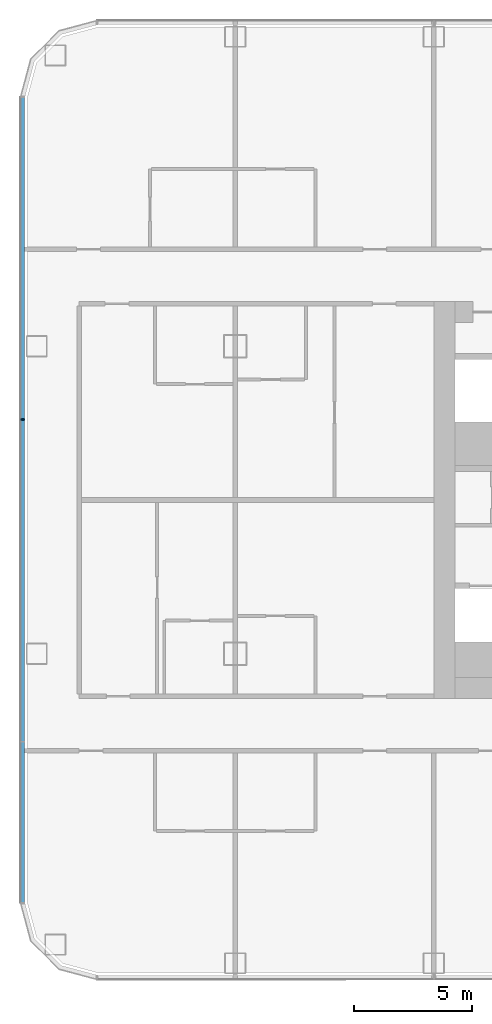
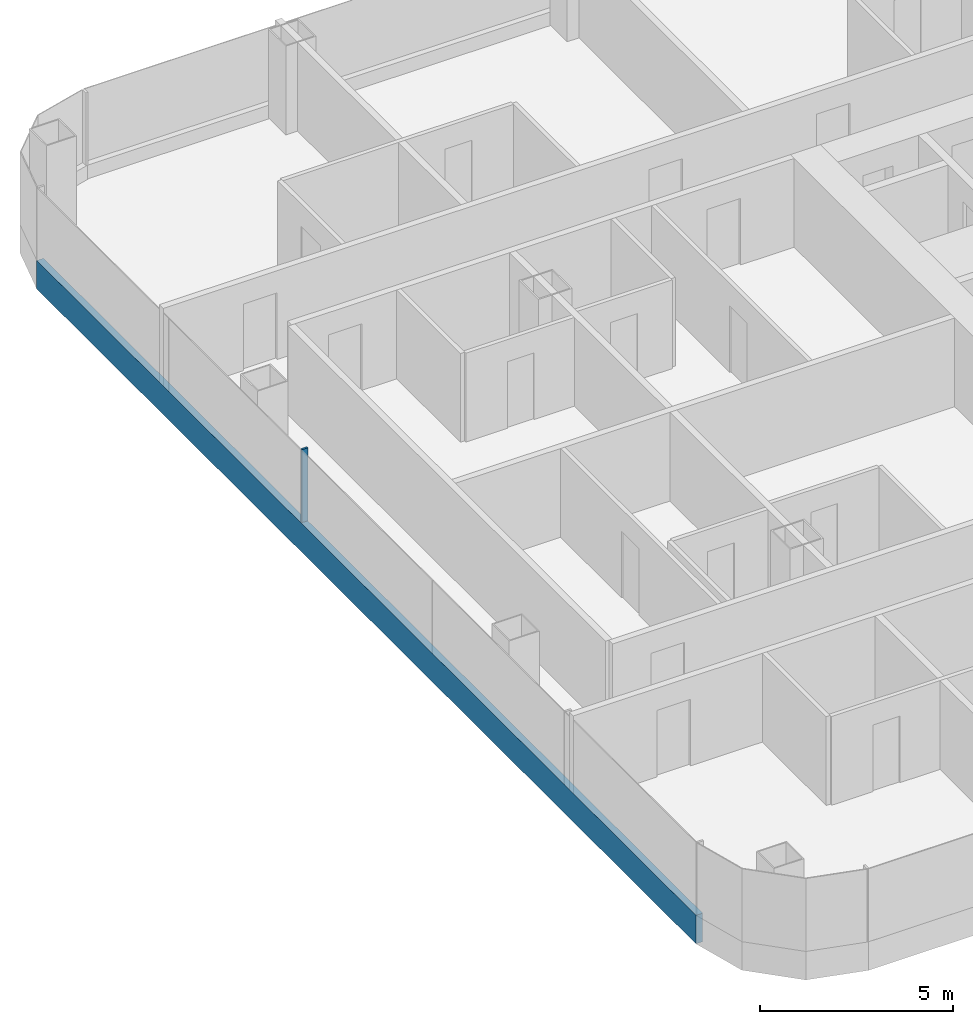
# One storey, part 3 of 28: 2 members, 1 element without a shape of its own.
"""IFC4 building model written with IfcOpenShell, lengths in metres."""

from ifc_helpers import new_model, si_unit, direction, frame, origin, origin_2d, place, context, subcontext, project, spatial, rectangle, extrude, material, layer, layer_set, material_profile, profile_set, type_object, element, aggregate, save


model = new_model("IFC4")

# Units and contexts
model_context = context("Model", 3, precision=1e-05, world=origin(), true_north=direction((0.0, 1.0)))
body_context = subcontext(model_context, "Body", "Model", "MODEL_VIEW")
ifc_project = project(units=[si_unit("LENGTHUNIT", "METRE"), si_unit("AREAUNIT", "SQUARE_METRE"), si_unit("VOLUMEUNIT", "CUBIC_METRE"), si_unit("PLANEANGLEUNIT", "RADIAN"), si_unit("MASSUNIT", "GRAM", prefix="KILO")], contexts=[model_context])

# Site, building, storey
site_placement = place(None, origin())
site = spatial("IfcSite", under=ifc_project, at=site_placement, CompositionType="ELEMENT")
building_placement = place(site_placement, origin())
building = spatial("IfcBuilding", under=site, at=building_placement, Name="Hakoniwa Tower and Hamabe Station Hall", CompositionType="ELEMENT")
storey_placement = place(building_placement, frame((0.0, 0.0, 35.800048828125)))
storey = spatial("IfcBuildingStorey", under=building, at=storey_placement, Name="L09", CompositionType="ELEMENT", Elevation=35.800048828125)

# Curtain wall, members
ifc_material_1 = material(Name="Dark low-e laminated glass", Category="glass")
ifc_layer = layer(ifc_material_1, 0.199951171875)
ifc_layer_set = layer_set([ifc_layer], Name="CW-1 UNITISED GUEST")
curtain_wall_type = type_object("IfcCurtainWallType", Name="CW-1 UNITISED GUEST", PredefinedType="NOTDEFINED", material=ifc_layer_set)
curtain_wall_placement = place(storey_placement, origin())
curtain_wall = element("IfcCurtainWall", 1, at=curtain_wall_placement, inside=storey, type_object=curtain_wall_type, Name="CW-1 curtain wall", PredefinedType="NOTDEFINED")
ifc_material_2 = material(Name="Aluminium 6063-T5 black anodised", Category="aluminium")
ifc_material_profile_1 = material_profile(ifc_material_2, rectangle(XDim=0.199951171875, YDim=0.89990234375, at=origin_2d()), Name="CW SLAB-EDGE BAND 900X200")
ifc_profile_set_1 = profile_set([ifc_material_profile_1], Name="Aluminium 6063-T5 black anodised")
member_type_1 = type_object("IfcMemberType", Name="CW SLAB-EDGE BAND 900X200", PredefinedType="USERDEFINED", material=ifc_profile_set_1)
member_1_placement = place(storey_placement, frame((-51.0, 17.03955078125, -0.10009765625), z_axis=(0.0, -1.0, 0.0), x_axis=(1.0, 0.0, 0.0)))
member_1 = element("IfcMember", 2, at=member_1_placement, type_object=member_type_1, Name="CW-1 transom", ObjectType="TRANSOM", PredefinedType="USERDEFINED", context=body_context, shape_type="SweptSolid", body=[
    extrude(rectangle(XDim=0.199951171875, YDim=0.89990234375, at=origin_2d()), origin(), (0.0, 0.0, 1.0), 34.0791015625),
])
ifc_material_3 = material(Name="Aluminium 6063-T5 black anodised", Category="aluminium")
ifc_material_profile_2 = material_profile(ifc_material_3, rectangle(XDim=0.06005859375, YDim=0.179931640625, at=origin_2d()), Name="CW-1 MULLION 60X180")
ifc_profile_set_2 = profile_set([ifc_material_profile_2], Name="Aluminium 6063-T5 black anodised")
member_type_2 = type_object("IfcMemberType", Name="CW-1 MULLION 60X180", PredefinedType="MULLION", material=ifc_profile_set_2)
member_2_placement = place(storey_placement, frame((-50.98193359375, 3.407958984375, 0.349853515625), z_axis=(0.0, 0.0, 1.0), x_axis=(0.0, -1.0, 0.0)))
member_2 = element("IfcMember", 3, at=member_2_placement, type_object=member_type_2, Name="CW-1 mullion", PredefinedType="MULLION", context=body_context, shape_type="SweptSolid", body=[
    extrude(rectangle(XDim=0.06005859375, YDim=0.179931640625, at=origin_2d()), origin(), (0.0, 0.0, 1.0), 2.300048828125),
])
aggregate(curtain_wall, [member_2, member_1])

save(model, "model.ifc")
